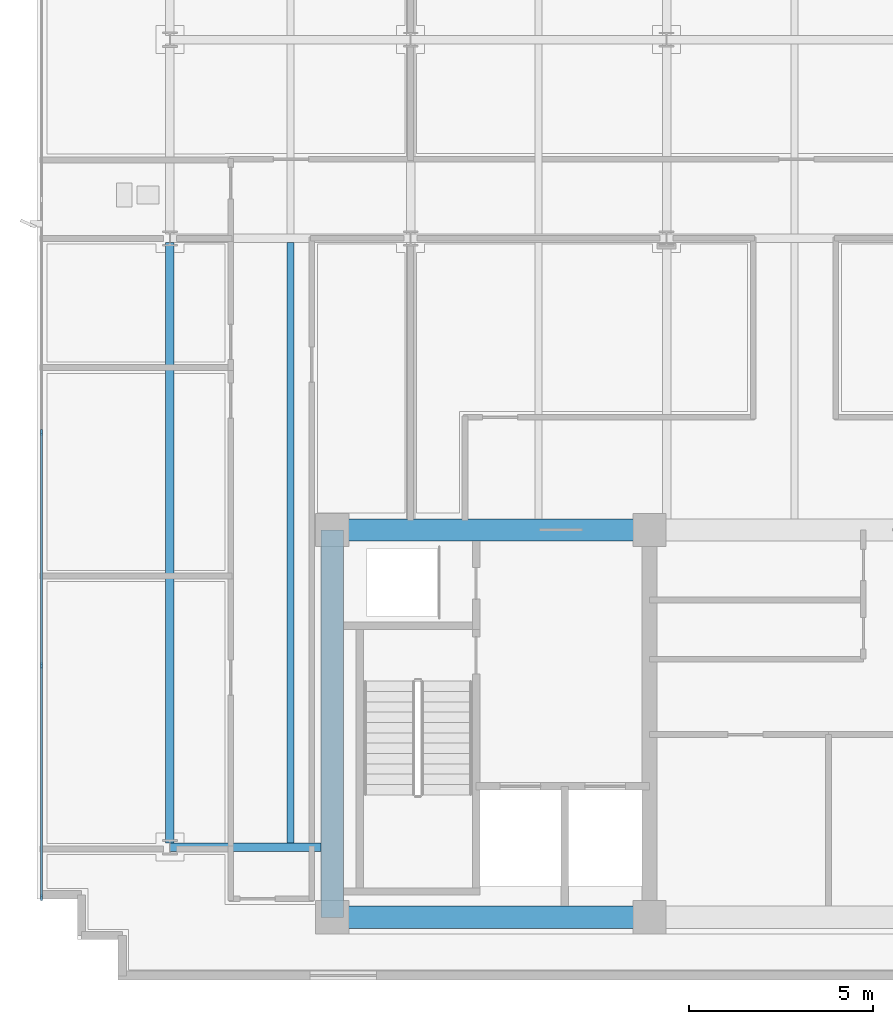
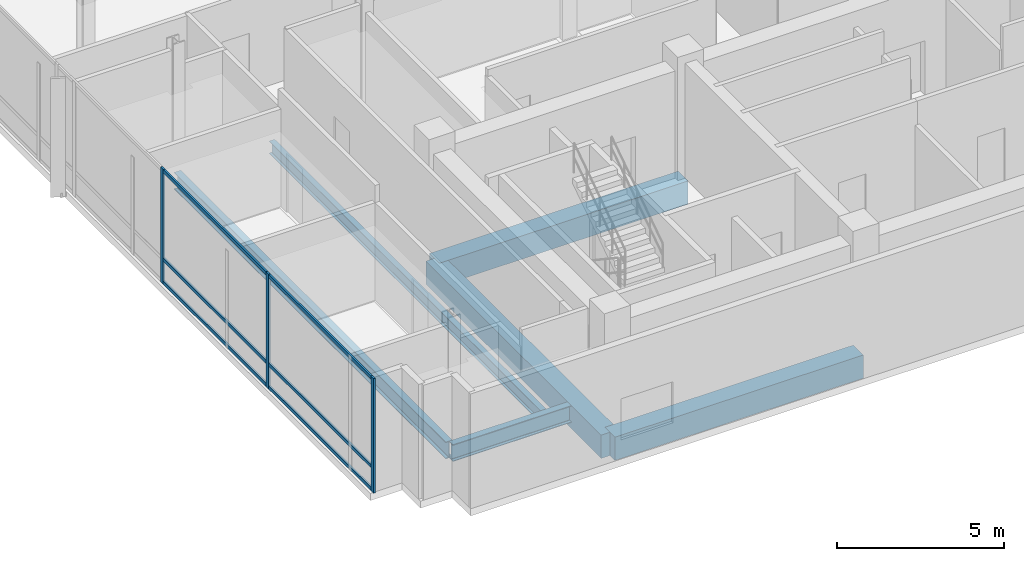
# One storey, part 2 of 17: 9 members, 6 beams, 1 element without a shape of its own.
"""IFC4 building model written with IfcOpenShell, lengths in metres."""

from ifc_helpers import new_model, si_unit, direction, frame, origin, origin_2d, place, context, subcontext, project, spatial, rectangle, i_section, extrude, material, material_profile, profile_set, type_object, element, aggregate, save


model = new_model("IFC4")

# Units and contexts
model_context = context("Model", 3, precision=1e-05, world=origin(), true_north=direction((0.0, 1.0)))
body_context = subcontext(model_context, "Body", "Model", "MODEL_VIEW")
ifc_project = project(units=[si_unit("LENGTHUNIT", "METRE"), si_unit("AREAUNIT", "SQUARE_METRE"), si_unit("VOLUMEUNIT", "CUBIC_METRE"), si_unit("PLANEANGLEUNIT", "RADIAN"), si_unit("MASSUNIT", "GRAM", prefix="KILO")], contexts=[model_context])

# Site, building, storey
site_placement = place(None, origin())
site = spatial("IfcSite", under=ifc_project, at=site_placement, CompositionType="ELEMENT")
building_placement = place(site_placement, origin())
building = spatial("IfcBuilding", under=site, at=building_placement, Name="Solmavex Isthmus Hotel", CompositionType="ELEMENT")
storey_placement = place(building_placement, frame((0.0, 0.0, 286.800048828125)))
storey = spatial("IfcBuildingStorey", under=building, at=storey_placement, Name="L78", CompositionType="ELEMENT", Elevation=286.800048828125)

# Beams
ifc_material_1 = material(Name="Steel ASTM A992 Grade 50", Category="steel")
ifc_material_profile_1 = material_profile(ifc_material_1, i_section(OverallWidth=0.1904296875, OverallDepth=0.456787109375, WebThickness=0.009033203125, FlangeThickness=0.014404296875, FilletRadius=0.0126953125, at=origin_2d()), Name="W18X50")
ifc_profile_set_1 = profile_set([ifc_material_profile_1], Name="Steel ASTM A992 Grade 50")
beam_type_1 = type_object("IfcBeamType", Name="BM-BJ-W18X50", PredefinedType="JOIST", material=ifc_profile_set_1)
beam_1_placement = place(storey_placement, frame((-17.135986328125, -10.98486328125, -0.488525390625), z_axis=(0.0, 1.0, 0.0), x_axis=(-1.0, 0.0, 0.0)))
element("IfcBeam", 1, at=beam_1_placement, inside=storey, type_object=beam_type_1, Name="Secondary Floor Joist L78-J01", PredefinedType="JOIST", context=body_context, shape_type="SweptSolid", body=[
    extrude(i_section(OverallWidth=0.1904296875, OverallDepth=0.456787109375, WebThickness=0.009033203125, FlangeThickness=0.014404296875, FilletRadius=0.0126953125, at=origin_2d()), origin(), (0.0, 0.0, 1.0), 16.27099609375),
])
ifc_material_2 = material(Name="Concrete C50/60", Category="concrete")
ifc_material_profile_2 = material_profile(ifc_material_2, rectangle(XDim=0.60009765625, YDim=0.85009765625, at=origin_2d()), Name="RC600X850")
ifc_profile_set_2 = profile_set([ifc_material_profile_2], Name="Concrete C50/60")
beam_type_2 = type_object("IfcBeamType", Name="BM-CB-600X850", PredefinedType="BEAM", material=ifc_profile_set_2)
for number, where, z_axis, x_axis, name in (
    (2, (-16.0, -13.0, -0.68505859375), (1.0, 0.0, 0.0), (0.0, 1.0, 0.0), "Core Coupling Beam L78-CB1"),
    (3, (-16.0, -2.5, -0.68505859375), (1.0, 0.0, 0.0), (0.0, 1.0, 0.0), "Core Coupling Beam L78-CB4"),
):
    element("IfcBeam", number, at=place(storey_placement, frame(where, z_axis=z_axis, x_axis=x_axis)), inside=storey, type_object=beam_type_2, Name=name, PredefinedType="BEAM", context=body_context, shape_type="SweptSolid", body=[
        extrude(rectangle(XDim=0.60009765625, YDim=0.85009765625, at=origin_2d()), origin(), (0.0, 0.0, 1.0), 8.60009765625),
    ])
beam_2_placement = place(storey_placement, frame((-16.0, -13.0, -0.68505859375), z_axis=(0.0, 1.0, 0.0), x_axis=(-1.0, 0.0, 0.0)))
element("IfcBeam", 4, at=beam_2_placement, inside=storey, type_object=beam_type_2, Name="Core Coupling Beam L78-CB7", PredefinedType="BEAM", context=body_context, shape_type="SweptSolid", body=[
    extrude(rectangle(XDim=0.60009765625, YDim=0.85009765625, at=origin_2d()), origin(), (0.0, 0.0, 1.0), 10.5),
])
ifc_material_profile_3 = material_profile(ifc_material_1, i_section(OverallWidth=0.230224609375, OverallDepth=0.617431640625, WebThickness=0.01318359375, FlangeThickness=0.022216796875, FilletRadius=0.01513671875, at=origin_2d()), Name="W24X94")
ifc_profile_set_3 = profile_set([ifc_material_profile_3], Name="Steel ASTM A992 Grade 50")
beam_type_3 = type_object("IfcBeamType", Name="BM-SP-W24X94", PredefinedType="SPANDREL", material=ifc_profile_set_3)
beam_3_placement = place(storey_placement, frame((-20.39990234375, -11.10009765625, -0.56884765625), z_axis=(1.0, 0.0, 0.0), x_axis=(0.0, 1.0, 0.0)))
element("IfcBeam", 5, at=beam_3_placement, inside=storey, type_object=beam_type_3, Name="Floor Girder L78-UG01", PredefinedType="SPANDREL", context=body_context, shape_type="SweptSolid", body=[
    extrude(i_section(OverallWidth=0.230224609375, OverallDepth=0.617431640625, WebThickness=0.01318359375, FlangeThickness=0.022216796875, FilletRadius=0.01513671875, at=origin_2d()), origin(), (0.0, 0.0, 1.0), 4.099853515625),
])
beam_4_placement = place(storey_placement, frame((-20.39990234375, -10.98486328125, -0.56884765625), z_axis=(0.0, 1.0, 0.0), x_axis=(-1.0, 0.0, 0.0)))
element("IfcBeam", 6, at=beam_4_placement, inside=storey, type_object=beam_type_3, Name="Floor Beam L78-VG21", PredefinedType="SPANDREL", context=body_context, shape_type="SweptSolid", body=[
    extrude(i_section(OverallWidth=0.230224609375, OverallDepth=0.617431640625, WebThickness=0.01318359375, FlangeThickness=0.022216796875, FilletRadius=0.01513671875, at=origin_2d()), origin(), (0.0, 0.0, 1.0), 16.27099609375),
])

# Curtain wall, members
ifc_material_3 = material(Name="Aluminium alloy 6063-T6", Category="aluminium")
curtain_wall_type = type_object("IfcCurtainWallType", Name="CW-SYS-05", PredefinedType="NOTDEFINED", material=ifc_material_3)
curtain_wall_placement = place(storey_placement, origin())
curtain_wall = element("IfcCurtainWall", 7, at=curtain_wall_placement, inside=storey, type_object=curtain_wall_type, Name="Stick Curtain Wall CWL-L78-W1", PredefinedType="NOTDEFINED")
ifc_material_profile_4 = material_profile(ifc_material_3, rectangle(XDim=0.06494140625, YDim=0.159912109375, at=origin_2d()), Name="CWM-65X160")
ifc_profile_set_4 = profile_set([ifc_material_profile_4], Name="Aluminium alloy 6063-T6")
member_type_1 = type_object("IfcMemberType", Name="CW-SYS-05-MUL", PredefinedType="MULLION", material=ifc_profile_set_4)
member_1_placement = place(storey_placement, frame((-23.8798828125, -12.467529296875, 0.0), z_axis=(0.0, 0.0, 1.0), x_axis=(-1.0, 0.0, 0.0)))
member_1 = element("IfcMember", 8, at=member_1_placement, type_object=member_type_1, Name="CW-05 mullion 1", PredefinedType="MULLION", context=body_context, shape_type="SweptSolid", body=[
    extrude(rectangle(XDim=0.06494140625, YDim=0.159912109375, at=origin_2d()), origin(), (0.0, 0.0, 1.0), 4.199951171875),
])
member_2_placement = place(storey_placement, frame((-23.8798828125, -6.179931640625, 0.0), z_axis=(0.0, 0.0, 1.0), x_axis=(-1.0, 0.0, 0.0)))
member_2 = element("IfcMember", 9, at=member_2_placement, type_object=member_type_1, Name="CW-05 mullion 2", PredefinedType="MULLION", context=body_context, shape_type="SweptSolid", body=[
    extrude(rectangle(XDim=0.06494140625, YDim=0.159912109375, at=origin_2d()), origin(), (0.0, 0.0, 1.0), 4.199951171875),
])
member_3_placement = place(storey_placement, frame((-23.8798828125, 0.139892578125, 0.0), z_axis=(0.0, 0.0, 1.0), x_axis=(-1.0, 0.0, 0.0)))
member_3 = element("IfcMember", 10, at=member_3_placement, type_object=member_type_1, Name="CW-05 mullion 3", PredefinedType="MULLION", context=body_context, shape_type="SweptSolid", body=[
    extrude(rectangle(XDim=0.06494140625, YDim=0.159912109375, at=origin_2d()), origin(), (0.0, 0.0, 1.0), 4.199951171875),
])
ifc_material_profile_5 = material_profile(ifc_material_3, rectangle(XDim=0.06494140625, YDim=0.125, at=origin_2d()), Name="CWT-65X125")
ifc_profile_set_5 = profile_set([ifc_material_profile_5], Name="Aluminium alloy 6063-T6")
member_type_2 = type_object("IfcMemberType", Name="CW-SYS-05-TRN", PredefinedType="USERDEFINED", material=ifc_profile_set_5)
member_4_placement = place(storey_placement, frame((-23.8798828125, -12.43505859375, 0.0625), z_axis=(0.0, 1.0, 0.0), x_axis=(-1.0, 0.0, 0.0)))
member_4 = element("IfcMember", 11, at=member_4_placement, type_object=member_type_2, Name="CW-05 transom 1.1", ObjectType="TRANSOM", PredefinedType="USERDEFINED", context=body_context, shape_type="SweptSolid", body=[
    extrude(rectangle(XDim=0.06494140625, YDim=0.125, at=origin_2d()), origin(), (0.0, 0.0, 1.0), 6.22265625),
])
member_5_placement = place(storey_placement, frame((-23.8798828125, -12.43505859375, 0.89990234375), z_axis=(0.0, 1.0, 0.0), x_axis=(-1.0, 0.0, 0.0)))
member_5 = element("IfcMember", 12, at=member_5_placement, type_object=member_type_2, Name="CW-05 transom 1.2", ObjectType="TRANSOM", PredefinedType="USERDEFINED", context=body_context, shape_type="SweptSolid", body=[
    extrude(rectangle(XDim=0.06494140625, YDim=0.125, at=origin_2d()), origin(), (0.0, 0.0, 1.0), 6.22265625),
])
member_6_placement = place(storey_placement, frame((-23.8798828125, -12.43505859375, 4.137451171875), z_axis=(0.0, 1.0, 0.0), x_axis=(-1.0, 0.0, 0.0)))
member_6 = element("IfcMember", 13, at=member_6_placement, type_object=member_type_2, Name="CW-05 transom 1.3", ObjectType="TRANSOM", PredefinedType="USERDEFINED", context=body_context, shape_type="SweptSolid", body=[
    extrude(rectangle(XDim=0.06494140625, YDim=0.125, at=origin_2d()), origin(), (0.0, 0.0, 1.0), 6.22265625),
])
member_7_placement = place(storey_placement, frame((-23.8798828125, -6.1474609375, 0.0625), z_axis=(0.0, 1.0, 0.0), x_axis=(-1.0, 0.0, 0.0)))
member_7 = element("IfcMember", 14, at=member_7_placement, type_object=member_type_2, Name="CW-05 transom 2.1", ObjectType="TRANSOM", PredefinedType="USERDEFINED", context=body_context, shape_type="SweptSolid", body=[
    extrude(rectangle(XDim=0.06494140625, YDim=0.125, at=origin_2d()), origin(), (0.0, 0.0, 1.0), 6.2548828125),
])
member_8_placement = place(storey_placement, frame((-23.8798828125, -6.1474609375, 0.89990234375), z_axis=(0.0, 1.0, 0.0), x_axis=(-1.0, 0.0, 0.0)))
member_8 = element("IfcMember", 15, at=member_8_placement, type_object=member_type_2, Name="CW-05 transom 2.2", ObjectType="TRANSOM", PredefinedType="USERDEFINED", context=body_context, shape_type="SweptSolid", body=[
    extrude(rectangle(XDim=0.06494140625, YDim=0.125, at=origin_2d()), origin(), (0.0, 0.0, 1.0), 6.2548828125),
])
member_9_placement = place(storey_placement, frame((-23.8798828125, -6.1474609375, 4.137451171875), z_axis=(0.0, 1.0, 0.0), x_axis=(-1.0, 0.0, 0.0)))
member_9 = element("IfcMember", 16, at=member_9_placement, type_object=member_type_2, Name="CW-05 transom 2.3", ObjectType="TRANSOM", PredefinedType="USERDEFINED", context=body_context, shape_type="SweptSolid", body=[
    extrude(rectangle(XDim=0.06494140625, YDim=0.125, at=origin_2d()), origin(), (0.0, 0.0, 1.0), 6.2548828125),
])
aggregate(curtain_wall, [member_1, member_2, member_3, member_4, member_5, member_6, member_7, member_8, member_9])

save(model, "model.ifc")
